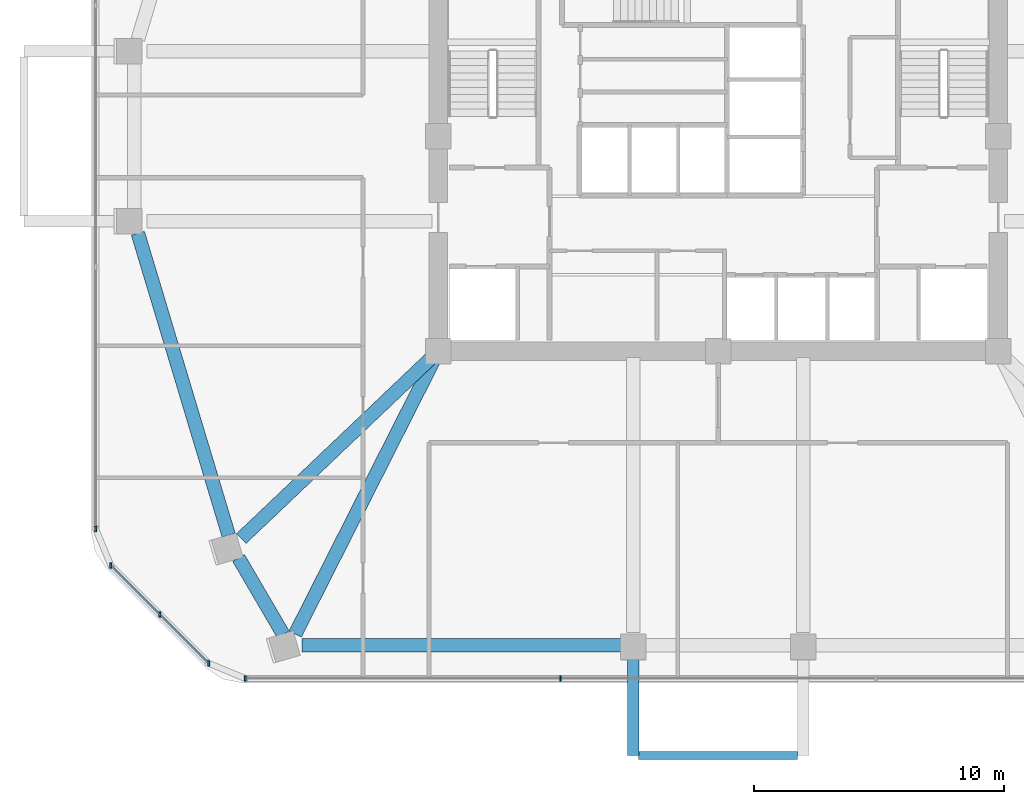
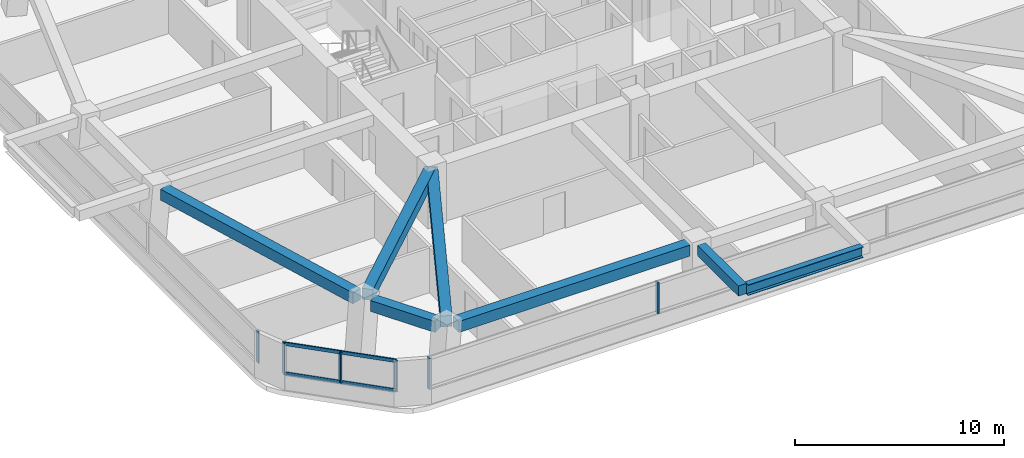
# One storey, part 2 of 13: 8 members, 7 beams, 3 elements without a shape of their own.
"""IFC4 building model written with IfcOpenShell, lengths in metres."""

from ifc_helpers import new_model, si_unit, derived_unit, direction, frame, origin, origin_2d, place, context, subcontext, project, spatial, rectangle, i_section, extrude, material, material_profile, profile_set, type_object, element, aggregate, save


model = new_model("IFC4")

# Units and contexts
model_context = context("Model", 3, precision=1e-05, world=origin(), true_north=direction((0.0, 1.0)))
body_context = subcontext(model_context, "Body", "Model", "MODEL_VIEW")
ifc_project = project(units=[si_unit("LENGTHUNIT", "METRE"), si_unit("AREAUNIT", "SQUARE_METRE"), si_unit("VOLUMEUNIT", "CUBIC_METRE"), si_unit("PLANEANGLEUNIT", "RADIAN"), si_unit("MASSUNIT", "GRAM", prefix="KILO"), derived_unit("THERMALTRANSMITTANCEUNIT", [(si_unit("POWERUNIT", "WATT"), 1), (si_unit("LENGTHUNIT", "METRE"), -2), (si_unit("THERMODYNAMICTEMPERATUREUNIT", "KELVIN"), -1)])], contexts=[model_context])

# Site, building, storey
site_placement = place(None, origin())
site = spatial("IfcSite", under=ifc_project, at=site_placement, CompositionType="ELEMENT")
building_placement = place(site_placement, origin())
building = spatial("IfcBuilding", under=site, at=building_placement, Name="Koralith Skygarden Medical Center", CompositionType="ELEMENT")
storey_placement = place(building_placement, frame((0.0, 0.0, 109.97998046875)))
storey = spatial("IfcBuildingStorey", under=building, at=storey_placement, Name="L28", CompositionType="ELEMENT", Elevation=109.97998046875)

# Curtain wall, members
ifc_material_1 = material(Name="Clear Laminated Glass", Category="glass")
curtain_wall_type = type_object("IfcCurtainWallType", Name="CW-3 Zone 2 Faceted Solar Curtain Wall", PredefinedType="NOTDEFINED", material=ifc_material_1)
curtain_wall_1_placement = place(storey_placement, origin())
curtain_wall_1 = element("IfcCurtainWall", 1, at=curtain_wall_1_placement, inside=storey, type_object=curtain_wall_type, Name="Curtain Wall CW-L28-S", PredefinedType="NOTDEFINED")
ifc_material_2 = material(Name="Aluminium 6063-T6", Category="aluminium")
ifc_material_profile_1 = material_profile(ifc_material_2, rectangle(XDim=0.073974609375, YDim=0.219970703125, at=origin_2d()), Name="MUL74X220")
ifc_profile_set_1 = profile_set([ifc_material_profile_1], Name="Aluminium 6063-T6")
member_type_1 = type_object("IfcMemberType", Name="CW-3 Extruded Mullion 74x220", PredefinedType="MULLION", material=ifc_profile_set_1)
member_1_placement = place(storey_placement, frame((18.069091796875, 4.2109375, 0.85009765625), z_axis=(0.0, 0.0, 1.0), x_axis=(1.0, 0.0, 0.0)))
member_1 = element("IfcMember", 2, at=member_1_placement, type_object=member_type_1, Name="CW-L28-S Mullion 1", PredefinedType="MULLION", context=body_context, shape_type="SweptSolid", body=[
    extrude(rectangle(XDim=0.073974609375, YDim=0.219970703125, at=origin_2d()), origin(), (0.0, 0.0, 1.0), 1.81982421875),
])
member_2_placement = place(storey_placement, frame((30.68994140625, 4.2109375, 0.85009765625), z_axis=(0.0, 0.0, 1.0), x_axis=(1.0, 0.0, 0.0)))
member_2 = element("IfcMember", 3, at=member_2_placement, type_object=member_type_1, Name="CW-L28-S Mullion 2", PredefinedType="MULLION", context=body_context, shape_type="SweptSolid", body=[
    extrude(rectangle(XDim=0.073974609375, YDim=0.219970703125, at=origin_2d()), origin(), (0.0, 0.0, 1.0), 1.81982421875),
])
aggregate(curtain_wall_1, [member_1, member_2])

# Curtain wall, member
curtain_wall_2_placement = place(storey_placement, origin())
curtain_wall_2 = element("IfcCurtainWall", 4, at=curtain_wall_2_placement, inside=storey, type_object=curtain_wall_type, Name="Curtain Wall CW-L28-W", PredefinedType="NOTDEFINED")
member_3_placement = place(storey_placement, frame((12.093994140625, 10.18603515625, 0.85009765625), z_axis=(0.0, 0.0, 1.0), x_axis=(1.0, 0.0, 0.0)))
member_3 = element("IfcMember", 5, at=member_3_placement, type_object=member_type_1, Name="CW-L28-W Mullion 4", PredefinedType="MULLION", context=body_context, shape_type="SweptSolid", body=[
    extrude(rectangle(XDim=0.073974609375, YDim=0.219970703125, at=origin_2d()), origin(), (0.0, 0.0, 1.0), 1.81982421875),
])
aggregate(curtain_wall_2, [member_3])

# Curtain wall, members
curtain_wall_3_placement = place(storey_placement, origin())
curtain_wall_3 = element("IfcCurtainWall", 6, at=curtain_wall_3_placement, inside=storey, type_object=curtain_wall_type, Name="Curtain Wall CW-L28-SW", PredefinedType="NOTDEFINED")
member_4_placement = place(storey_placement, frame((12.695068359375, 8.735107421875, 0.85009765625), z_axis=(0.0, 0.0, 1.0), x_axis=(1.0, 0.0, 0.0)))
member_4 = element("IfcMember", 7, at=member_4_placement, type_object=member_type_1, Name="CW-L28-SW Mullion 1", PredefinedType="MULLION", context=body_context, shape_type="SweptSolid", body=[
    extrude(rectangle(XDim=0.073974609375, YDim=0.219970703125, at=origin_2d()), origin(), (0.0, 0.0, 1.0), 1.81982421875),
])
member_5_placement = place(storey_placement, frame((14.656005859375, 6.77392578125, 0.85009765625), z_axis=(0.0, 0.0, 1.0), x_axis=(1.0, 0.0, 0.0)))
member_5 = element("IfcMember", 8, at=member_5_placement, type_object=member_type_1, Name="CW-L28-SW Mullion 2", PredefinedType="MULLION", context=body_context, shape_type="SweptSolid", body=[
    extrude(rectangle(XDim=0.073974609375, YDim=0.219970703125, at=origin_2d()), origin(), (0.0, 0.0, 1.0), 1.81982421875),
])
member_6_placement = place(storey_placement, frame((16.617919921875, 4.81201171875, 0.85009765625), z_axis=(0.0, 0.0, 1.0), x_axis=(1.0, 0.0, 0.0)))
member_6 = element("IfcMember", 9, at=member_6_placement, type_object=member_type_1, Name="CW-L28-SW Mullion 3", PredefinedType="MULLION", context=body_context, shape_type="SweptSolid", body=[
    extrude(rectangle(XDim=0.073974609375, YDim=0.219970703125, at=origin_2d()), origin(), (0.0, 0.0, 1.0), 1.81982421875),
])
ifc_material_profile_2 = material_profile(ifc_material_2, rectangle(XDim=0.069091796875, YDim=0.197998046875, at=origin_2d()), Name="TRN69X198")
ifc_profile_set_2 = profile_set([ifc_material_profile_2], Name="Aluminium 6063-T6")
member_type_2 = type_object("IfcMemberType", Name="CW-3 Thermal Transom 69x198", PredefinedType="USERDEFINED", material=ifc_profile_set_2)
member_7_placement = place(storey_placement, frame((12.695068359375, 8.735107421875, 0.89990234375), z_axis=(0.707084777957, -0.707128783731, 0.0), x_axis=(0.707128783731, 0.707084777957, 0.0)))
member_7 = element("IfcMember", 10, at=member_7_placement, type_object=member_type_2, Name="CW-L28-SW Transom 1", ObjectType="TRANSOM", PredefinedType="USERDEFINED", context=body_context, shape_type="SweptSolid", body=[
    extrude(rectangle(XDim=0.069091796875, YDim=0.197998046875, at=origin_2d()), origin(), (0.0, 0.0, 1.0), 5.5478515625),
])
member_8_placement = place(storey_placement, frame((12.695068359375, 8.735107421875, 2.6201171875), z_axis=(0.707084777957, -0.707128783731, 0.0), x_axis=(0.707128783731, 0.707084777957, 0.0)))
member_8 = element("IfcMember", 11, at=member_8_placement, type_object=member_type_2, Name="CW-L28-SW Transom 2", ObjectType="TRANSOM", PredefinedType="USERDEFINED", context=body_context, shape_type="SweptSolid", body=[
    extrude(rectangle(XDim=0.069091796875, YDim=0.197998046875, at=origin_2d()), origin(), (0.0, 0.0, 1.0), 5.5478515625),
])
aggregate(curtain_wall_3, [member_4, member_5, member_6, member_7, member_8])

# Beams
ifc_material_3 = material(Name="Steel ASTM A992 Grade 50", Category="steel")
ifc_material_profile_3 = material_profile(ifc_material_3, i_section(OverallWidth=0.326904296875, OverallDepth=0.6220703125, WebThickness=0.015380859375, FlangeThickness=0.0244140625, at=origin_2d()), Name="W24X131")
ifc_profile_set_3 = profile_set([ifc_material_profile_3], Name="Steel ASTM A992 Grade 50")
beam_type_1 = type_object("IfcBeamType", Name="Cantilever Tie Beam W24X131", PredefinedType="BEAM", material=ifc_profile_set_3)
beam_1_placement = place(storey_placement, frame((33.820068359375, 1.12890625, 3.029052734375), z_axis=(1.0, 0.0, 0.0), x_axis=(0.0, 1.0, 0.0)))
element("IfcBeam", 12, at=beam_1_placement, inside=storey, type_object=beam_type_1, Name="L29 S Balcony Tip Tie Beam", PredefinedType="BEAM", context=body_context, shape_type="SweptSolid", body=[
    extrude(i_section(OverallWidth=0.326904296875, OverallDepth=0.6220703125, WebThickness=0.015380859375, FlangeThickness=0.0244140625, at=origin_2d()), origin(), (0.0, 0.0, 1.0), 6.35986328125),
])
ifc_material_4 = material(Name="Concrete C45/55", Category="concrete")
ifc_material_profile_4 = material_profile(ifc_material_4, rectangle(XDim=0.449951171875, YDim=0.60009765625, at=origin_2d()), Name="RCB450X600")
ifc_profile_set_4 = profile_set([ifc_material_profile_4], Name="Concrete C45/55")
beam_type_2 = type_object("IfcBeamType", Name="Planted Balcony Cantilever Beam RCB450X600", PredefinedType="BEAM", material=ifc_profile_set_4)
beam_2_placement = place(storey_placement, frame((33.60009765625, 5.049072265625, 3.0400390625), z_axis=(0.0, -1.0, 0.0), x_axis=(1.0, 0.0, 0.0)))
element("IfcBeam", 13, at=beam_2_placement, inside=storey, type_object=beam_type_2, Name="L29 S Balcony Cantilever Beam A", PredefinedType="BEAM", context=body_context, shape_type="SweptSolid", body=[
    extrude(rectangle(XDim=0.449951171875, YDim=0.60009765625, at=origin_2d()), origin(), (0.0, 0.0, 1.0), 3.920166015625),
])
ifc_material_profile_5 = material_profile(ifc_material_4, rectangle(XDim=0.550048828125, YDim=0.639892578125, at=origin_2d()), Name="RCB550X640")
ifc_profile_set_5 = profile_set([ifc_material_profile_5], Name="Concrete C45/55")
beam_type_3 = type_object("IfcBeamType", Name="Radial Collector Beam RCB550X640", PredefinedType="BEAM", material=ifc_profile_set_5)
beam_3_placement = place(storey_placement, frame((25.618896484375, 17.1279296875, 3.0), z_axis=(-0.724664943916, -0.689101385181, 0.0), x_axis=(0.689101385181, -0.724664943916, 0.0)))
element("IfcBeam", 14, at=beam_3_placement, inside=storey, type_object=beam_type_3, Name="L28 Radial Collector Beam RB-02", PredefinedType="BEAM", context=body_context, shape_type="SweptSolid", body=[
    extrude(rectangle(XDim=0.550048828125, YDim=0.639892578125, at=origin_2d()), origin(), (0.0, 0.0, 1.0), 10.626953125),
])
beam_4_placement = place(storey_placement, frame((25.68701171875, 17.076904296875, 3.0), z_axis=(-0.451529041703, -0.892256423064, 0.0), x_axis=(0.892256423064, -0.451529041703, 0.0)))
element("IfcBeam", 15, at=beam_4_placement, inside=storey, type_object=beam_type_3, Name="L28 Radial Collector Beam RB-03", PredefinedType="BEAM", context=body_context, shape_type="SweptSolid", body=[
    extrude(rectangle(XDim=0.550048828125, YDim=0.639892578125, at=origin_2d()), origin(), (0.0, 0.0, 1.0), 12.43115234375),
])
ifc_material_profile_6 = material_profile(ifc_material_4, rectangle(XDim=0.550048828125, YDim=0.639892578125, at=origin_2d()), Name="RCB550X640")
ifc_profile_set_6 = profile_set([ifc_material_profile_6], Name="Concrete C45/55")
beam_type_4 = type_object("IfcBeamType", Name="Zone 2-3 Spandrel Beam RCB550X640", PredefinedType="SPANDREL", material=ifc_profile_set_6)
beam_5_placement = place(storey_placement, frame((13.780029296875, 22.02099609375, 3.0), z_axis=(0.287891099441, -0.95766315313, 0.0), x_axis=(0.95766315313, 0.287891099441, 0.0)))
element("IfcBeam", 16, at=beam_5_placement, inside=storey, type_object=beam_type_4, Name="L28 Perimeter Spandrel Beam SP-01", PredefinedType="SPANDREL", context=body_context, shape_type="SweptSolid", body=[
    extrude(rectangle(XDim=0.550048828125, YDim=0.639892578125, at=origin_2d()), origin(), (0.0, 0.0, 1.0), 12.6162109375),
])
beam_6_placement = place(storey_placement, frame((17.80810546875, 9.028076171875, 3.0), z_axis=(0.504822258312, -0.863223312656, 0.0), x_axis=(0.863223312656, 0.504822258312, 0.0)))
element("IfcBeam", 17, at=beam_6_placement, inside=storey, type_object=beam_type_4, Name="L28 Perimeter Spandrel Beam SP-02", PredefinedType="SPANDREL", context=body_context, shape_type="SweptSolid", body=[
    extrude(rectangle(XDim=0.550048828125, YDim=0.639892578125, at=origin_2d()), origin(), (0.0, 0.0, 1.0), 3.54150390625),
])
beam_7_placement = place(storey_placement, frame((20.347900390625, 5.5390625, 3.0), z_axis=(1.0, 0.0, 0.0), x_axis=(0.0, 1.0, 0.0)))
element("IfcBeam", 18, at=beam_7_placement, inside=storey, type_object=beam_type_4, Name="L28 Perimeter Spandrel Beam SP-03", PredefinedType="SPANDREL", context=body_context, shape_type="SweptSolid", body=[
    extrude(rectangle(XDim=0.550048828125, YDim=0.639892578125, at=origin_2d()), origin(), (0.0, 0.0, 1.0), 12.752197265625),
])

save(model, "model.ifc")
